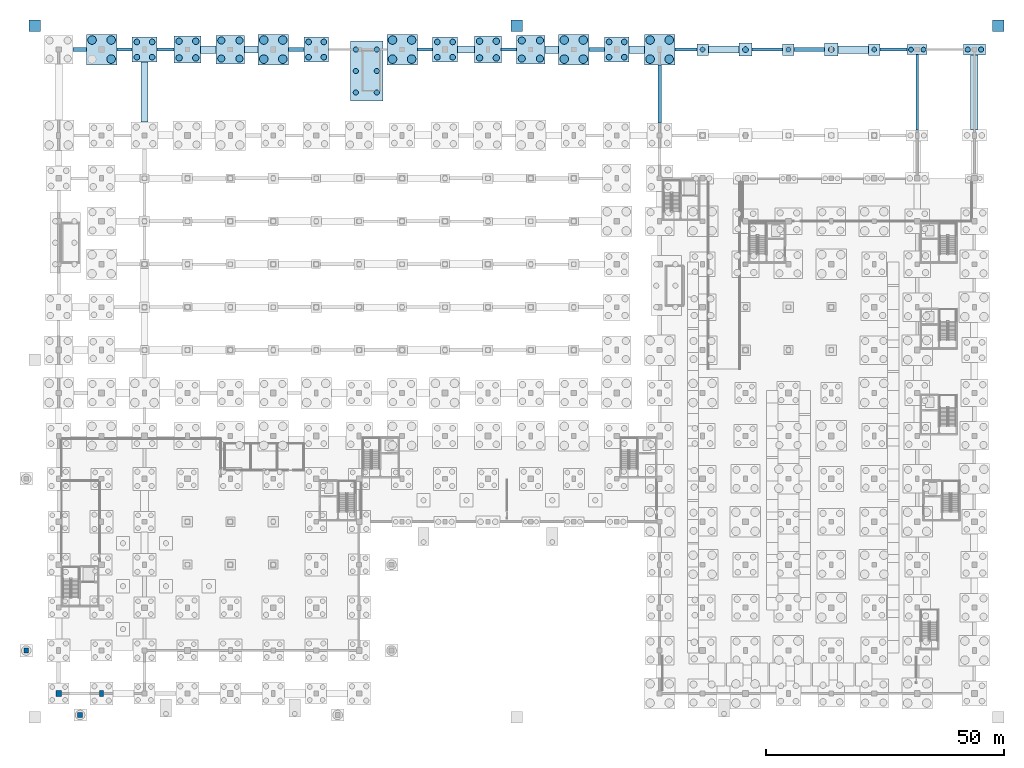
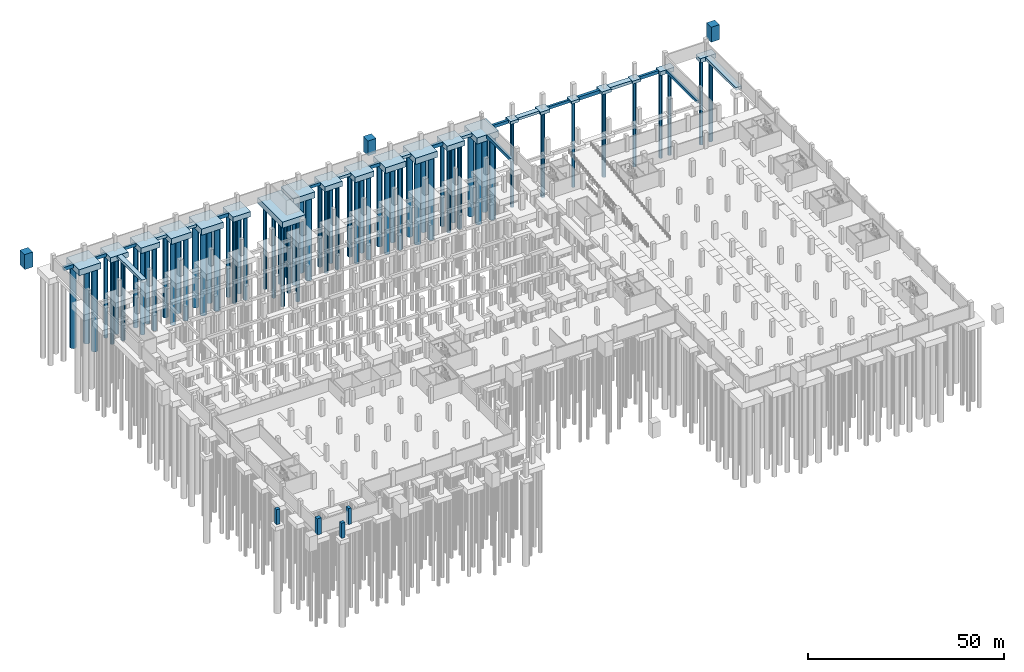
# One storey, part 11 of 37: 66 piles, 46 footings, 4 columns.
"""IFC4 building model written with IfcOpenShell, lengths in metres."""

from ifc_helpers import new_model, si_unit, direction, frame, origin, origin_with_axes, origin_2d, place, context, subcontext, project, spatial, rectangle, circle, extrude, material, material_profile, profile_set, type_object, element, save


model = new_model("IFC4")

# Units and contexts
model_context = context("Model", 3, precision=1e-05, world=origin(), true_north=direction((0.0, 1.0)))
body_context = subcontext(model_context, "Body", "Model", "MODEL_VIEW")
ifc_project = project(units=[si_unit("LENGTHUNIT", "METRE"), si_unit("AREAUNIT", "SQUARE_METRE"), si_unit("VOLUMEUNIT", "CUBIC_METRE"), si_unit("PLANEANGLEUNIT", "RADIAN"), si_unit("MASSUNIT", "GRAM", prefix="KILO")], contexts=[model_context])

# Site, building, storey
site_placement = place(None, origin())
site = spatial("IfcSite", under=ifc_project, at=site_placement, CompositionType="ELEMENT")
building_placement = place(site_placement, origin())
building = spatial("IfcBuilding", under=site, at=building_placement, Name="Barlavento Convention Centre", CompositionType="ELEMENT")
storey_placement = place(building_placement, frame((0.0, 0.0, -5.0)))
storey = spatial("IfcBuildingStorey", under=building, at=storey_placement, Name="B1", CompositionType="ELEMENT", Elevation=-5.0)

# Footings
ifc_material_1 = material(Name="Concrete C40/50", Category="concrete")
footing_type_1 = type_object("IfcFootingType", Name="STR-FND-CORE-COMB", PredefinedType="PILE_CAP", material=ifc_material_1)
footing_1_placement = place(storey_placement, frame((64.60009765625, 130.5, -1.85009765625), z_axis=(0.0, 0.0, 1.0), x_axis=(1.0, 0.0, 0.0)))
element("IfcFooting", 1, at=footing_1_placement, inside=storey, type_object=footing_type_1, Name="Combined core and column foundation mat FND-CORE-C13", PredefinedType="PILE_CAP", context=body_context, shape_type="SweptSolid", body=[
    extrude(rectangle(XDim=6.800048828125, YDim=12.60009765625, at=origin_2d()), origin(), (0.0, 0.0, 1.0), 1.85009765625),
])
footing_type_2 = type_object("IfcFootingType", Name="STR-FND-GB-600X900", PredefinedType="FOOTING_BEAM", material=ifc_material_1)
footing_2_placement = place(storey_placement, frame((22.39990234375, 135.0, -0.89990234375), z_axis=(0.0, 0.0, 1.0), x_axis=(1.0, 0.0, 0.0)))
element("IfcFooting", 2, at=footing_2_placement, inside=storey, type_object=footing_type_2, Name="Ground tie footing GB01", PredefinedType="FOOTING_BEAM", context=body_context, shape_type="SweptSolid", body=[
    extrude(rectangle(XDim=3.610107421875, YDim=0.60009765625, at=origin_2d()), origin(), (0.0, 0.0, 1.0), 0.89990234375),
])
footing_3_placement = place(storey_placement, frame((76.800048828125, 135.0, -0.89990234375), z_axis=(0.0, 0.0, 1.0), x_axis=(1.0, 0.0, 0.0)))
element("IfcFooting", 3, at=footing_3_placement, inside=storey, type_object=footing_type_2, Name="Ground tie footing GB01", PredefinedType="FOOTING_BEAM", context=body_context, shape_type="SweptSolid", body=[
    extrude(rectangle(XDim=3.2099609375, YDim=0.60009765625, at=origin_2d()), origin(), (0.0, 0.0, 1.0), 0.89990234375),
])
footing_4_placement = place(storey_placement, frame((148.60009765625, 135.0, -0.89990234375), z_axis=(0.0, 0.0, 1.0), x_axis=(1.0, 0.0, 0.0)))
element("IfcFooting", 4, at=footing_4_placement, inside=storey, type_object=footing_type_2, Name="Ground tie footing GB01", PredefinedType="FOOTING_BEAM", context=body_context, shape_type="SweptSolid", body=[
    extrude(rectangle(XDim=6.409912109375, YDim=0.60009765625, at=origin_2d()), origin(), (0.0, 0.0, 1.0), 0.89990234375),
])
footing_5_placement = place(storey_placement, frame((180.0, 126.050048828125, -0.89990234375), z_axis=(0.0, 0.0, 1.0), x_axis=(1.0, 0.0, 0.0)))
element("IfcFooting", 5, at=footing_5_placement, inside=storey, type_object=footing_type_2, Name="Ground tie footing GB01", PredefinedType="FOOTING_BEAM", context=body_context, shape_type="SweptSolid", body=[
    extrude(rectangle(XDim=0.60009765625, YDim=15.81005859375, at=origin_2d()), origin(), (0.0, 0.0, 1.0), 0.89990234375),
])
footing_type_3 = type_object("IfcFootingType", Name="STR-FND-GB-700X1000", PredefinedType="FOOTING_BEAM", material=ifc_material_1)
for number, where, z_axis, x_axis, name in (
    (6, (13.800048828125, 135.0, -1.0), (0.0, 0.0, 1.0), (1.0, 0.0, 0.0), "Ground tie footing GB02"),
    (7, (94.39990234375, 135.0, -1.0), (0.0, 0.0, 1.0), (1.0, 0.0, 0.0), "Ground tie footing GB02"),
):
    element("IfcFooting", number, at=place(storey_placement, frame(where, z_axis=z_axis, x_axis=x_axis)), inside=storey, type_object=footing_type_3, Name=name, PredefinedType="FOOTING_BEAM", context=body_context, shape_type="SweptSolid", body=[
        extrude(rectangle(XDim=3.2099609375, YDim=0.699951171875, at=origin_2d()), origin(), (0.0, 0.0, 1.0), 1.0),
    ])
footing_6_placement = place(storey_placement, frame((131.5, 135.0, -1.0), z_axis=(0.0, 0.0, 1.0), x_axis=(1.0, 0.0, 0.0)))
element("IfcFooting", 8, at=footing_6_placement, inside=storey, type_object=footing_type_3, Name="Ground tie footing GB02", PredefinedType="FOOTING_BEAM", context=body_context, shape_type="SweptSolid", body=[
    extrude(rectangle(XDim=4.610107421875, YDim=0.699951171875, at=origin_2d()), origin(), (0.0, 0.0, 1.0), 1.0),
])
footing_7_placement = place(storey_placement, frame((175.050048828125, 135.0, -1.0), z_axis=(0.0, 0.0, 1.0), x_axis=(1.0, 0.0, 0.0)))
element("IfcFooting", 9, at=footing_7_placement, inside=storey, type_object=footing_type_3, Name="Ground tie footing GB02", PredefinedType="FOOTING_BEAM", context=body_context, shape_type="SweptSolid", body=[
    extrude(rectangle(XDim=5.7099609375, YDim=0.699951171875, at=origin_2d()), origin(), (0.0, 0.0, 1.0), 1.0),
])
footing_8_placement = place(storey_placement, frame((126.0, 125.699951171875, -1.0), z_axis=(0.0, 0.0, 1.0), x_axis=(1.0, 0.0, 0.0)))
element("IfcFooting", 10, at=footing_8_placement, inside=storey, type_object=footing_type_3, Name="Ground tie footing GB02", PredefinedType="FOOTING_BEAM", context=body_context, shape_type="SweptSolid", body=[
    extrude(rectangle(XDim=0.699951171875, YDim=12.2099609375, at=origin_2d()), origin(), (0.0, 0.0, 1.0), 1.0),
])
footing_type_4 = type_object("IfcFootingType", Name="STR-FND-GB-800X1100", PredefinedType="FOOTING_BEAM", material=ifc_material_1)
footing_9_placement = place(storey_placement, frame((4.39990234375, 135.0, -1.10009765625), z_axis=(0.0, 0.0, 1.0), x_axis=(1.0, 0.0, 0.0)))
element("IfcFooting", 11, at=footing_9_placement, inside=storey, type_object=footing_type_4, Name="Ground tie footing GB03", PredefinedType="FOOTING_BEAM", context=body_context, shape_type="SweptSolid", body=[
    extrude(rectangle(XDim=2.81005859375, YDim=0.800048828125, at=origin_2d()), origin(), (0.0, 0.0, 1.0), 1.10009765625),
])
for number, where, z_axis, x_axis, name in (
    (12, (49.800048828125, 135.0, -1.10009765625), (0.0, 0.0, 1.0), (1.0, 0.0, 0.0), "Ground tie footing GB03"),
    (13, (112.800048828125, 135.0, -1.10009765625), (0.0, 0.0, 1.0), (1.0, 0.0, 0.0), "Ground tie footing GB03"),
):
    element("IfcFooting", number, at=place(storey_placement, frame(where, z_axis=z_axis, x_axis=x_axis)), inside=storey, type_object=footing_type_4, Name=name, PredefinedType="FOOTING_BEAM", context=body_context, shape_type="SweptSolid", body=[
        extrude(rectangle(XDim=3.2099609375, YDim=0.800048828125, at=origin_2d()), origin(), (0.0, 0.0, 1.0), 1.10009765625),
    ])
footing_10_placement = place(storey_placement, frame((157.39990234375, 135.0, -1.10009765625), z_axis=(0.0, 0.0, 1.0), x_axis=(1.0, 0.0, 0.0)))
element("IfcFooting", 14, at=footing_10_placement, inside=storey, type_object=footing_type_4, Name="Ground tie footing GB03", PredefinedType="FOOTING_BEAM", context=body_context, shape_type="SweptSolid", body=[
    extrude(rectangle(XDim=6.409912109375, YDim=0.800048828125, at=origin_2d()), origin(), (0.0, 0.0, 1.0), 1.10009765625),
])
footing_type_5 = type_object("IfcFootingType", Name="STR-FND-PAD-2400", PredefinedType="PAD_FOOTING", material=ifc_material_1)
for number, where, z_axis, x_axis, name in (
    (15, (135.0, 135.0, -0.89990234375), (0.0, 0.0, 1.0), (1.0, 0.0, 0.0), "Pile cap PF01 at 16-Q"),
    (16, (153.0, 135.0, -0.89990234375), (0.0, 0.0, 1.0), (1.0, 0.0, 0.0), "Pile cap PF01 at 18-Q"),
    (17, (171.0, 135.0, -0.89990234375), (0.0, 0.0, 1.0), (1.0, 0.0, 0.0), "Pile cap PF01 at 20-Q"),
):
    element("IfcFooting", number, at=place(storey_placement, frame(where, z_axis=z_axis, x_axis=x_axis)), inside=storey, type_object=footing_type_5, Name=name, PredefinedType="PAD_FOOTING", context=body_context, shape_type="SweptSolid", body=[
        extrude(rectangle(XDim=2.39990234375, YDim=2.39990234375, at=origin_2d()), origin(), (0.0, 0.0, 1.0), 0.89990234375),
    ])
footing_type_6 = type_object("IfcFootingType", Name="STR-FND-PAD-2800", PredefinedType="PAD_FOOTING", material=ifc_material_1)
for number, where, z_axis, x_axis, name in (
    (18, (144.0, 135.0, -0.9501953125), (0.0, 0.0, 1.0), (1.0, 0.0, 0.0), "Pile cap PF02 at 17-Q"),
    (19, (162.0, 135.0, -0.9501953125), (0.0, 0.0, 1.0), (1.0, 0.0, 0.0), "Pile cap PF02 at 19-Q"),
):
    element("IfcFooting", number, at=place(storey_placement, frame(where, z_axis=z_axis, x_axis=x_axis)), inside=storey, type_object=footing_type_6, Name=name, PredefinedType="PAD_FOOTING", context=body_context, shape_type="SweptSolid", body=[
        extrude(rectangle(XDim=2.800048828125, YDim=2.800048828125, at=origin_2d()), origin(), (0.0, 0.0, 1.0), 0.949951171875),
    ])
footing_type_7 = type_object("IfcFootingType", Name="STR-FND-PAD-APR-2400", PredefinedType="PAD_FOOTING", material=ifc_material_1)
for number, where, z_axis, x_axis, name in (
    (20, (-5.0, 140.0, 0.0), (0.0, 0.0, 1.0), (1.0, 0.0, 0.0), "Perimeter plaza apron foundation pad FND-PAD-APR-05"),
    (21, (96.0, 140.0, 0.0), (0.0, 0.0, 1.0), (1.0, 0.0, 0.0), "Perimeter plaza apron foundation pad FND-PAD-APR-06"),
    (22, (197.0, 140.0, 0.0), (0.0, 0.0, 1.0), (1.0, 0.0, 0.0), "Perimeter plaza apron foundation pad FND-PAD-APR-07"),
):
    element("IfcFooting", number, at=place(storey_placement, frame(where, z_axis=z_axis, x_axis=x_axis)), inside=storey, type_object=footing_type_7, Name=name, PredefinedType="PAD_FOOTING", context=body_context, shape_type="SweptSolid", body=[
        extrude(rectangle(XDim=2.39990234375, YDim=2.39990234375, at=origin_2d()), origin(), (0.0, 0.0, 1.0), 4.639892578125),
    ])
footing_type_8 = type_object("IfcFootingType", Name="STR-FND-PC2-4200X2100", PredefinedType="PILE_CAP", material=ifc_material_1)
footing_11_placement = place(storey_placement, frame((180.0, 135.0, -1.25), z_axis=(0.0, 0.0, 1.0), x_axis=(1.0, 0.0, 0.0)))
element("IfcFooting", 23, at=footing_11_placement, inside=storey, type_object=footing_type_8, Name="Pile cap PC04 at 21-Q", PredefinedType="PILE_CAP", context=body_context, shape_type="SweptSolid", body=[
    extrude(rectangle(XDim=4.199951171875, YDim=2.10009765625, at=origin_2d()), origin(), (0.0, 0.0, 1.0), 1.25),
])
footing_type_9 = type_object("IfcFootingType", Name="STR-FND-PC2-4600X2300", PredefinedType="PILE_CAP", material=ifc_material_1)
footing_12_placement = place(storey_placement, frame((192.0, 135.0, -1.35009765625), z_axis=(0.0, 0.0, 1.0), x_axis=(1.0, 0.0, 0.0)))
element("IfcFooting", 24, at=footing_12_placement, inside=storey, type_object=footing_type_9, Name="Pile cap PC05 at 22-Q", PredefinedType="PILE_CAP", context=body_context, shape_type="SweptSolid", body=[
    extrude(rectangle(XDim=4.60009765625, YDim=2.300048828125, at=origin_2d()), origin(), (0.0, 0.0, 1.0), 1.35009765625),
])
footing_type_10 = type_object("IfcFootingType", Name="STR-FND-PC4-5200", PredefinedType="PILE_CAP", material=ifc_material_1)
for number, where, z_axis, x_axis, name in (
    (25, (18.0, 135.0, -1.60009765625), (0.0, 0.0, 1.0), (1.0, 0.0, 0.0), "Pile cap PC09 at 3-Q"),
    (26, (54.0, 135.0, -1.60009765625), (0.0, 0.0, 1.0), (1.0, 0.0, 0.0), "Pile cap PC09 at 7-Q"),
    (27, (81.0, 135.0, -1.60009765625), (0.0, 0.0, 1.0), (1.0, 0.0, 0.0), "Pile cap PC09 at 10-Q"),
    (28, (117.0, 135.0, -1.60009765625), (0.0, 0.0, 1.0), (1.0, 0.0, 0.0), "Pile cap PC09 at 14-Q"),
):
    element("IfcFooting", number, at=place(storey_placement, frame(where, z_axis=z_axis, x_axis=x_axis)), inside=storey, type_object=footing_type_10, Name=name, PredefinedType="PILE_CAP", context=body_context, shape_type="SweptSolid", body=[
        extrude(rectangle(XDim=5.199951171875, YDim=5.199951171875, at=origin_2d()), origin(), (0.0, 0.0, 1.0), 1.60009765625),
    ])
footing_type_11 = type_object("IfcFootingType", Name="STR-FND-PC4-5600", PredefinedType="PILE_CAP", material=ifc_material_1)
for number, where, z_axis, x_axis, name in (
    (29, (27.0, 135.0, -1.7001953125), (0.0, 0.0, 1.0), (1.0, 0.0, 0.0), "Pile cap PC10 at 4-Q"),
    (30, (90.0, 135.0, -1.7001953125), (0.0, 0.0, 1.0), (1.0, 0.0, 0.0), "Pile cap PC10 at 11-Q"),
):
    element("IfcFooting", number, at=place(storey_placement, frame(where, z_axis=z_axis, x_axis=x_axis)), inside=storey, type_object=footing_type_11, Name=name, PredefinedType="PILE_CAP", context=body_context, shape_type="SweptSolid", body=[
        extrude(rectangle(XDim=5.60009765625, YDim=5.60009765625, at=origin_2d()), origin(), (0.0, 0.0, 1.0), 1.699951171875),
    ])
footing_type_12 = type_object("IfcFootingType", Name="STR-FND-PC4-6000", PredefinedType="PILE_CAP", material=ifc_material_1)
for number, where, z_axis, x_axis, name in (
    (31, (36.0, 135.0, -1.7998046875), (0.0, 0.0, 1.0), (1.0, 0.0, 0.0), "Pile cap PC11 at 5-Q"),
    (32, (99.0, 135.0, -1.7998046875), (0.0, 0.0, 1.0), (1.0, 0.0, 0.0), "Pile cap PC11 at 12-Q"),
):
    element("IfcFooting", number, at=place(storey_placement, frame(where, z_axis=z_axis, x_axis=x_axis)), inside=storey, type_object=footing_type_12, Name=name, PredefinedType="PILE_CAP", context=body_context, shape_type="SweptSolid", body=[
        extrude(rectangle(XDim=6.0, YDim=6.0, at=origin_2d()), origin(), (0.0, 0.0, 1.0), 1.800048828125),
    ])
footing_type_13 = type_object("IfcFootingType", Name="STR-FND-PC4-6400", PredefinedType="PILE_CAP", material=ifc_material_1)
for number, where, z_axis, x_axis, name in (
    (33, (9.0, 135.0, -1.89990234375), (0.0, 0.0, 1.0), (1.0, 0.0, 0.0), "Pile cap PC12 at 2-Q"),
    (34, (45.0, 135.0, -1.89990234375), (0.0, 0.0, 1.0), (1.0, 0.0, 0.0), "Pile cap PC12 at 6-Q"),
    (35, (72.0, 135.0, -1.89990234375), (0.0, 0.0, 1.0), (1.0, 0.0, 0.0), "Pile cap PC12 at 9-Q"),
    (36, (108.0, 135.0, -1.89990234375), (0.0, 0.0, 1.0), (1.0, 0.0, 0.0), "Pile cap PC12 at 13-Q"),
    (37, (126.0, 135.0, -1.89990234375), (0.0, 0.0, 1.0), (1.0, 0.0, 0.0), "Pile cap PC12 at 15-Q"),
):
    element("IfcFooting", number, at=place(storey_placement, frame(where, z_axis=z_axis, x_axis=x_axis)), inside=storey, type_object=footing_type_13, Name=name, PredefinedType="PILE_CAP", context=body_context, shape_type="SweptSolid", body=[
        extrude(rectangle(XDim=6.39990234375, YDim=6.39990234375, at=origin_2d()), origin(), (0.0, 0.0, 1.0), 1.89990234375),
    ])
footing_type_14 = type_object("IfcFootingType", Name="STR-FND-SF-1400X800", PredefinedType="STRIP_FOOTING", material=ifc_material_1)
footing_13_placement = place(storey_placement, frame((40.39990234375, 135.0, -0.7998046875), z_axis=(0.0, 0.0, 1.0), x_axis=(1.0, 0.0, 0.0)))
element("IfcFooting", 38, at=footing_13_placement, inside=storey, type_object=footing_type_14, Name="Ground tie footing SF01", PredefinedType="STRIP_FOOTING", context=body_context, shape_type="SweptSolid", body=[
    extrude(rectangle(XDim=2.81005859375, YDim=1.39990234375, at=origin_2d()), origin(), (0.0, 0.0, 1.0), 0.800048828125),
])
footing_14_placement = place(storey_placement, frame((85.39990234375, 135.0, -0.7998046875), z_axis=(0.0, 0.0, 1.0), x_axis=(1.0, 0.0, 0.0)))
element("IfcFooting", 39, at=footing_14_placement, inside=storey, type_object=footing_type_14, Name="Ground tie footing SF01", PredefinedType="STRIP_FOOTING", context=body_context, shape_type="SweptSolid", body=[
    extrude(rectangle(XDim=3.610107421875, YDim=1.39990234375, at=origin_2d()), origin(), (0.0, 0.0, 1.0), 0.800048828125),
])
footing_15_placement = place(storey_placement, frame((139.39990234375, 135.0, -0.7998046875), z_axis=(0.0, 0.0, 1.0), x_axis=(1.0, 0.0, 0.0)))
element("IfcFooting", 40, at=footing_15_placement, inside=storey, type_object=footing_type_14, Name="Ground tie footing SF01", PredefinedType="STRIP_FOOTING", context=body_context, shape_type="SweptSolid", body=[
    extrude(rectangle(XDim=6.409912109375, YDim=1.39990234375, at=origin_2d()), origin(), (0.0, 0.0, 1.0), 0.800048828125),
])
footing_16_placement = place(storey_placement, frame((18.0, 126.10009765625, -0.7998046875), z_axis=(0.0, 0.0, 1.0), x_axis=(1.0, 0.0, 0.0)))
element("IfcFooting", 41, at=footing_16_placement, inside=storey, type_object=footing_type_14, Name="Ground tie footing SF01", PredefinedType="STRIP_FOOTING", context=body_context, shape_type="SweptSolid", body=[
    extrude(rectangle(XDim=1.39990234375, YDim=12.610107421875, at=origin_2d()), origin(), (0.0, 0.0, 1.0), 0.800048828125),
])
footing_type_15 = type_object("IfcFootingType", Name="STR-FND-SF-1600X900", PredefinedType="STRIP_FOOTING", material=ifc_material_1)
footing_17_placement = place(storey_placement, frame((31.39990234375, 135.0, -0.89990234375), z_axis=(0.0, 0.0, 1.0), x_axis=(1.0, 0.0, 0.0)))
element("IfcFooting", 42, at=footing_17_placement, inside=storey, type_object=footing_type_15, Name="Ground tie footing SF02", PredefinedType="STRIP_FOOTING", context=body_context, shape_type="SweptSolid", body=[
    extrude(rectangle(XDim=3.2099609375, YDim=1.60009765625, at=origin_2d()), origin(), (0.0, 0.0, 1.0), 0.89990234375),
])
footing_18_placement = place(storey_placement, frame((103.39990234375, 135.0, -0.89990234375), z_axis=(0.0, 0.0, 1.0), x_axis=(1.0, 0.0, 0.0)))
element("IfcFooting", 43, at=footing_18_placement, inside=storey, type_object=footing_type_15, Name="Ground tie footing SF02", PredefinedType="STRIP_FOOTING", context=body_context, shape_type="SweptSolid", body=[
    extrude(rectangle(XDim=2.81005859375, YDim=1.60009765625, at=origin_2d()), origin(), (0.0, 0.0, 1.0), 0.89990234375),
])
footing_19_placement = place(storey_placement, frame((121.199951171875, 135.0, -0.89990234375), z_axis=(0.0, 0.0, 1.0), x_axis=(1.0, 0.0, 0.0)))
element("IfcFooting", 44, at=footing_19_placement, inside=storey, type_object=footing_type_15, Name="Ground tie footing SF02", PredefinedType="STRIP_FOOTING", context=body_context, shape_type="SweptSolid", body=[
    extrude(rectangle(XDim=3.2099609375, YDim=1.60009765625, at=origin_2d()), origin(), (0.0, 0.0, 1.0), 0.89990234375),
])
footing_20_placement = place(storey_placement, frame((166.60009765625, 135.0, -0.89990234375), z_axis=(0.0, 0.0, 1.0), x_axis=(1.0, 0.0, 0.0)))
element("IfcFooting", 45, at=footing_20_placement, inside=storey, type_object=footing_type_15, Name="Ground tie footing SF02", PredefinedType="STRIP_FOOTING", context=body_context, shape_type="SweptSolid", body=[
    extrude(rectangle(XDim=6.409912109375, YDim=1.60009765625, at=origin_2d()), origin(), (0.0, 0.0, 1.0), 0.89990234375),
])
footing_21_placement = place(storey_placement, frame((192.0, 126.02490234375, -0.89990234375), z_axis=(0.0, 0.0, 1.0), x_axis=(1.0, 0.0, 0.0)))
element("IfcFooting", 46, at=footing_21_placement, inside=storey, type_object=footing_type_15, Name="Ground tie footing SF02", PredefinedType="STRIP_FOOTING", context=body_context, shape_type="SweptSolid", body=[
    extrude(rectangle(XDim=1.60009765625, YDim=15.659912109375, at=origin_2d()), origin(), (0.0, 0.0, 1.0), 0.89990234375),
])

# Piles
ifc_material_profile_1 = material_profile(ifc_material_1, circle(Radius=0.5, at=origin_2d()), Name="BORED PILE 1000")
ifc_profile_set_1 = profile_set([ifc_material_profile_1], Name="Concrete C40/50")
pile_type_1 = type_object("IfcPileType", Name="STR-PIL-B1000", PredefinedType="BORED", material=ifc_profile_set_1)
for number, where, z_axis, x_axis, name in (
    (47, (178.699951171875, 135.0, -1.14990234375), (0.0, 0.0, -1.0), (1.0, 0.0, 0.0), "Bored pile P10 under FND-CAP-0286"),
    (48, (181.300048828125, 135.0, -1.14990234375), (0.0, 0.0, -1.0), (1.0, 0.0, 0.0), "Bored pile P10 under FND-CAP-0286"),
):
    element("IfcPile", number, at=place(storey_placement, frame(where, z_axis=z_axis, x_axis=x_axis)), inside=storey, type_object=pile_type_1, Name=name, PredefinedType="BORED", context=body_context, shape_type="SweptSolid", body=[
        extrude(circle(Radius=0.5, at=origin_2d()), origin(), (0.0, 0.0, 1.0), 26.35009765625),
    ])
ifc_material_profile_2 = material_profile(ifc_material_1, circle(Radius=0.550048828125, at=origin_2d()), Name="BORED PILE 1100")
ifc_profile_set_2 = profile_set([ifc_material_profile_2], Name="Concrete C40/50")
pile_type_2 = type_object("IfcPileType", Name="STR-PIL-B1100", PredefinedType="BORED", material=ifc_profile_set_2)
for number, where, z_axis, x_axis, name in (
    (49, (190.60009765625, 135.0, -1.25), (0.0, 0.0, -1.0), (1.0, 0.0, 0.0), "Bored pile P11 under FND-CAP-0301"),
    (50, (193.39990234375, 135.0, -1.25), (0.0, 0.0, -1.0), (1.0, 0.0, 0.0), "Bored pile P11 under FND-CAP-0301"),
):
    element("IfcPile", number, at=place(storey_placement, frame(where, z_axis=z_axis, x_axis=x_axis)), inside=storey, type_object=pile_type_2, Name=name, PredefinedType="BORED", context=body_context, shape_type="SweptSolid", body=[
        extrude(circle(Radius=0.550048828125, at=origin_2d()), origin(), (0.0, 0.0, 1.0), 26.25),
    ])
for number, where, z_axis, x_axis, name in (
    (51, (62.300048828125, 126.0, -1.75), (0.0, 0.0, -1.0), (1.0, 0.0, 0.0), "Core foundation bored pile PIL-P11-62300-126000"),
    (52, (66.699951171875, 126.0, -1.75), (0.0, 0.0, -1.0), (1.0, 0.0, 0.0), "Core foundation bored pile PIL-P11-66700-126000"),
    (53, (62.300048828125, 130.5, -1.75), (0.0, 0.0, -1.0), (1.0, 0.0, 0.0), "Core foundation bored pile PIL-P11-62300-130500"),
    (54, (66.699951171875, 130.5, -1.75), (0.0, 0.0, -1.0), (1.0, 0.0, 0.0), "Core foundation bored pile PIL-P11-66700-130500"),
    (55, (62.300048828125, 135.0, -1.75), (0.0, 0.0, -1.0), (1.0, 0.0, 0.0), "Core foundation bored pile PIL-P11-62300-135000"),
    (56, (66.699951171875, 135.0, -1.75), (0.0, 0.0, -1.0), (1.0, 0.0, 0.0), "Core foundation bored pile PIL-P11-66700-135000"),
):
    element("IfcPile", number, at=place(storey_placement, frame(where, z_axis=z_axis, x_axis=x_axis)), inside=storey, type_object=pile_type_2, Name=name, PredefinedType="BORED", context=body_context, shape_type="SweptSolid", body=[
        extrude(circle(Radius=0.550048828125, at=origin_2d()), origin(), (0.0, 0.0, 1.0), 25.75),
    ])
ifc_material_profile_3 = material_profile(ifc_material_1, circle(Radius=0.60009765625, at=origin_2d()), Name="BORED PILE 1200")
ifc_profile_set_3 = profile_set([ifc_material_profile_3], Name="Concrete C40/50")
pile_type_3 = type_object("IfcPileType", Name="STR-PIL-B1200", PredefinedType="BORED", material=ifc_profile_set_3)
for number, where, z_axis, x_axis, name in (
    (57, (16.39990234375, 133.39990234375, -1.5), (0.0, 0.0, -1.0), (1.0, 0.0, 0.0), "Bored pile P12 under FND-CAP-0043"),
    (58, (19.60009765625, 133.39990234375, -1.5), (0.0, 0.0, -1.0), (1.0, 0.0, 0.0), "Bored pile P12 under FND-CAP-0043"),
    (59, (16.39990234375, 136.60009765625, -1.5), (0.0, 0.0, -1.0), (1.0, 0.0, 0.0), "Bored pile P12 under FND-CAP-0043"),
    (60, (19.60009765625, 136.60009765625, -1.5), (0.0, 0.0, -1.0), (1.0, 0.0, 0.0), "Bored pile P12 under FND-CAP-0043"),
    (61, (52.39990234375, 133.39990234375, -1.5), (0.0, 0.0, -1.0), (1.0, 0.0, 0.0), "Bored pile P12 under FND-CAP-0103"),
    (62, (55.60009765625, 133.39990234375, -1.5), (0.0, 0.0, -1.0), (1.0, 0.0, 0.0), "Bored pile P12 under FND-CAP-0103"),
    (63, (52.39990234375, 136.60009765625, -1.5), (0.0, 0.0, -1.0), (1.0, 0.0, 0.0), "Bored pile P12 under FND-CAP-0103"),
    (64, (55.60009765625, 136.60009765625, -1.5), (0.0, 0.0, -1.0), (1.0, 0.0, 0.0), "Bored pile P12 under FND-CAP-0103"),
    (65, (79.39990234375, 133.39990234375, -1.5), (0.0, 0.0, -1.0), (1.0, 0.0, 0.0), "Bored pile P12 under FND-CAP-0139"),
    (66, (82.60009765625, 133.39990234375, -1.5), (0.0, 0.0, -1.0), (1.0, 0.0, 0.0), "Bored pile P12 under FND-CAP-0139"),
    (67, (79.39990234375, 136.60009765625, -1.5), (0.0, 0.0, -1.0), (1.0, 0.0, 0.0), "Bored pile P12 under FND-CAP-0139"),
    (68, (82.60009765625, 136.60009765625, -1.5), (0.0, 0.0, -1.0), (1.0, 0.0, 0.0), "Bored pile P12 under FND-CAP-0139"),
    (69, (115.39990234375, 133.39990234375, -1.5), (0.0, 0.0, -1.0), (1.0, 0.0, 0.0), "Bored pile P12 under FND-CAP-0183"),
    (70, (118.60009765625, 133.39990234375, -1.5), (0.0, 0.0, -1.0), (1.0, 0.0, 0.0), "Bored pile P12 under FND-CAP-0183"),
    (71, (115.39990234375, 136.60009765625, -1.5), (0.0, 0.0, -1.0), (1.0, 0.0, 0.0), "Bored pile P12 under FND-CAP-0183"),
    (72, (118.60009765625, 136.60009765625, -1.5), (0.0, 0.0, -1.0), (1.0, 0.0, 0.0), "Bored pile P12 under FND-CAP-0183"),
):
    element("IfcPile", number, at=place(storey_placement, frame(where, z_axis=z_axis, x_axis=x_axis)), inside=storey, type_object=pile_type_3, Name=name, PredefinedType="BORED", context=body_context, shape_type="SweptSolid", body=[
        extrude(circle(Radius=0.60009765625, at=origin_2d()), origin(), (0.0, 0.0, 1.0), 26.0),
    ])
for number, where, z_axis, x_axis, name in (
    (73, (144.0, 135.0, -0.85009765625), (0.0, 0.0, -1.0), (1.0, 0.0, 0.0), "Bored pile P12 under FND-CAP-0226"),
    (74, (162.0, 135.0, -0.85009765625), (0.0, 0.0, -1.0), (1.0, 0.0, 0.0), "Bored pile P12 under FND-CAP-0256"),
):
    element("IfcPile", number, at=place(storey_placement, frame(where, z_axis=z_axis, x_axis=x_axis)), inside=storey, type_object=pile_type_3, Name=name, PredefinedType="BORED", context=body_context, shape_type="SweptSolid", body=[
        extrude(circle(Radius=0.60009765625, at=origin_2d()), origin(), (0.0, 0.0, 1.0), 26.64990234375),
    ])
ifc_material_profile_4 = material_profile(ifc_material_1, circle(Radius=0.675048828125, at=origin_2d()), Name="BORED PILE 1350")
ifc_profile_set_4 = profile_set([ifc_material_profile_4], Name="Concrete C40/50")
pile_type_4 = type_object("IfcPileType", Name="STR-PIL-B1350", PredefinedType="BORED", material=ifc_profile_set_4)
for number, where, z_axis, x_axis, name in (
    (75, (25.25, 133.25, -1.60009765625), (0.0, 0.0, -1.0), (1.0, 0.0, 0.0), "Bored pile P13 under FND-CAP-0058"),
    (76, (28.75, 133.25, -1.60009765625), (0.0, 0.0, -1.0), (1.0, 0.0, 0.0), "Bored pile P13 under FND-CAP-0058"),
    (77, (25.25, 136.75, -1.60009765625), (0.0, 0.0, -1.0), (1.0, 0.0, 0.0), "Bored pile P13 under FND-CAP-0058"),
    (78, (28.75, 136.75, -1.60009765625), (0.0, 0.0, -1.0), (1.0, 0.0, 0.0), "Bored pile P13 under FND-CAP-0058"),
    (79, (88.25, 133.25, -1.60009765625), (0.0, 0.0, -1.0), (1.0, 0.0, 0.0), "Bored pile P13 under FND-CAP-0150"),
    (80, (91.75, 133.25, -1.60009765625), (0.0, 0.0, -1.0), (1.0, 0.0, 0.0), "Bored pile P13 under FND-CAP-0150"),
    (81, (88.25, 136.75, -1.60009765625), (0.0, 0.0, -1.0), (1.0, 0.0, 0.0), "Bored pile P13 under FND-CAP-0150"),
    (82, (91.75, 136.75, -1.60009765625), (0.0, 0.0, -1.0), (1.0, 0.0, 0.0), "Bored pile P13 under FND-CAP-0150"),
):
    element("IfcPile", number, at=place(storey_placement, frame(where, z_axis=z_axis, x_axis=x_axis)), inside=storey, type_object=pile_type_4, Name=name, PredefinedType="BORED", context=body_context, shape_type="SweptSolid", body=[
        extrude(circle(Radius=0.675048828125, at=origin_2d()), origin(), (0.0, 0.0, 1.0), 25.89990234375),
    ])
ifc_material_profile_5 = material_profile(ifc_material_1, circle(Radius=0.75, at=origin_2d()), Name="BORED PILE 1500")
ifc_profile_set_5 = profile_set([ifc_material_profile_5], Name="Concrete C40/50")
pile_type_5 = type_object("IfcPileType", Name="STR-PIL-B1500", PredefinedType="BORED", material=ifc_profile_set_5)
for number, where, z_axis, x_axis, name in (
    (83, (34.10009765625, 133.10009765625, -1.699951171875), (0.0, 0.0, -1.0), (1.0, 0.0, 0.0), "Bored pile P15 under FND-CAP-0073"),
    (84, (37.89990234375, 133.10009765625, -1.699951171875), (0.0, 0.0, -1.0), (1.0, 0.0, 0.0), "Bored pile P15 under FND-CAP-0073"),
    (85, (34.10009765625, 136.89990234375, -1.699951171875), (0.0, 0.0, -1.0), (1.0, 0.0, 0.0), "Bored pile P15 under FND-CAP-0073"),
    (86, (37.89990234375, 136.89990234375, -1.699951171875), (0.0, 0.0, -1.0), (1.0, 0.0, 0.0), "Bored pile P15 under FND-CAP-0073"),
    (87, (97.10009765625, 133.10009765625, -1.699951171875), (0.0, 0.0, -1.0), (1.0, 0.0, 0.0), "Bored pile P15 under FND-CAP-0161"),
    (88, (100.89990234375, 133.10009765625, -1.699951171875), (0.0, 0.0, -1.0), (1.0, 0.0, 0.0), "Bored pile P15 under FND-CAP-0161"),
    (89, (97.10009765625, 136.89990234375, -1.699951171875), (0.0, 0.0, -1.0), (1.0, 0.0, 0.0), "Bored pile P15 under FND-CAP-0161"),
    (90, (100.89990234375, 136.89990234375, -1.699951171875), (0.0, 0.0, -1.0), (1.0, 0.0, 0.0), "Bored pile P15 under FND-CAP-0161"),
):
    element("IfcPile", number, at=place(storey_placement, frame(where, z_axis=z_axis, x_axis=x_axis)), inside=storey, type_object=pile_type_5, Name=name, PredefinedType="BORED", context=body_context, shape_type="SweptSolid", body=[
        extrude(circle(Radius=0.75, at=origin_2d()), origin(), (0.0, 0.0, 1.0), 25.800048828125),
    ])
ifc_material_profile_6 = material_profile(ifc_material_1, circle(Radius=0.89990234375, at=origin_2d()), Name="BORED PILE 1800")
ifc_profile_set_6 = profile_set([ifc_material_profile_6], Name="Concrete C40/50")
pile_type_6 = type_object("IfcPileType", Name="STR-PIL-B1800", PredefinedType="BORED", material=ifc_profile_set_6)
for number, where, z_axis, x_axis, name in (
    (91, (11.0, 133.0, -1.800048828125), (0.0, 0.0, -1.0), (1.0, 0.0, 0.0), "Bored pile P18 under FND-CAP-0028"),
    (92, (7.0, 137.0, -1.800048828125), (0.0, 0.0, -1.0), (1.0, 0.0, 0.0), "Bored pile P18 under FND-CAP-0028"),
    (93, (11.0, 137.0, -1.800048828125), (0.0, 0.0, -1.0), (1.0, 0.0, 0.0), "Bored pile P18 under FND-CAP-0028"),
    (94, (43.0, 133.0, -1.800048828125), (0.0, 0.0, -1.0), (1.0, 0.0, 0.0), "Bored pile P18 under FND-CAP-0088"),
    (95, (47.0, 133.0, -1.800048828125), (0.0, 0.0, -1.0), (1.0, 0.0, 0.0), "Bored pile P18 under FND-CAP-0088"),
    (96, (43.0, 137.0, -1.800048828125), (0.0, 0.0, -1.0), (1.0, 0.0, 0.0), "Bored pile P18 under FND-CAP-0088"),
    (97, (47.0, 137.0, -1.800048828125), (0.0, 0.0, -1.0), (1.0, 0.0, 0.0), "Bored pile P18 under FND-CAP-0088"),
    (98, (70.0, 133.0, -1.800048828125), (0.0, 0.0, -1.0), (1.0, 0.0, 0.0), "Bored pile P18 under FND-CAP-0128"),
    (99, (74.0, 133.0, -1.800048828125), (0.0, 0.0, -1.0), (1.0, 0.0, 0.0), "Bored pile P18 under FND-CAP-0128"),
    (100, (70.0, 137.0, -1.800048828125), (0.0, 0.0, -1.0), (1.0, 0.0, 0.0), "Bored pile P18 under FND-CAP-0128"),
    (101, (74.0, 137.0, -1.800048828125), (0.0, 0.0, -1.0), (1.0, 0.0, 0.0), "Bored pile P18 under FND-CAP-0128"),
    (102, (106.0, 133.0, -1.800048828125), (0.0, 0.0, -1.0), (1.0, 0.0, 0.0), "Bored pile P18 under FND-CAP-0172"),
    (103, (110.0, 133.0, -1.800048828125), (0.0, 0.0, -1.0), (1.0, 0.0, 0.0), "Bored pile P18 under FND-CAP-0172"),
    (104, (106.0, 137.0, -1.800048828125), (0.0, 0.0, -1.0), (1.0, 0.0, 0.0), "Bored pile P18 under FND-CAP-0172"),
    (105, (110.0, 137.0, -1.800048828125), (0.0, 0.0, -1.0), (1.0, 0.0, 0.0), "Bored pile P18 under FND-CAP-0172"),
    (106, (124.0, 133.0, -1.800048828125), (0.0, 0.0, -1.0), (1.0, 0.0, 0.0), "Bored pile P18 under FND-CAP-0196"),
    (107, (128.0, 133.0, -1.800048828125), (0.0, 0.0, -1.0), (1.0, 0.0, 0.0), "Bored pile P18 under FND-CAP-0196"),
    (108, (124.0, 137.0, -1.800048828125), (0.0, 0.0, -1.0), (1.0, 0.0, 0.0), "Bored pile P18 under FND-CAP-0196"),
    (109, (128.0, 137.0, -1.800048828125), (0.0, 0.0, -1.0), (1.0, 0.0, 0.0), "Bored pile P18 under FND-CAP-0196"),
):
    element("IfcPile", number, at=place(storey_placement, frame(where, z_axis=z_axis, x_axis=x_axis)), inside=storey, type_object=pile_type_6, Name=name, PredefinedType="BORED", context=body_context, shape_type="SweptSolid", body=[
        extrude(circle(Radius=0.89990234375, at=origin_2d()), origin(), (0.0, 0.0, 1.0), 25.699951171875),
    ])
ifc_material_profile_7 = material_profile(ifc_material_1, circle(Radius=0.5, at=origin_2d()), Name="BORED PILE 1000")
ifc_profile_set_7 = profile_set([ifc_material_profile_7], Name="Concrete C40/50")
pile_type_7 = type_object("IfcPileType", Name="STR-PIL-SUP1000", PredefinedType="SUPPORT", material=ifc_profile_set_7)
for number, where, z_axis, x_axis, name in (
    (110, (135.0, 135.0, -0.800048828125), (0.0, 0.0, -1.0), (1.0, 0.0, 0.0), "Bored pile PS10 under FND-CAP-0211"),
    (111, (153.0, 135.0, -0.800048828125), (0.0, 0.0, -1.0), (1.0, 0.0, 0.0), "Bored pile PS10 under FND-CAP-0241"),
    (112, (171.0, 135.0, -0.800048828125), (0.0, 0.0, -1.0), (1.0, 0.0, 0.0), "Bored pile PS10 under FND-CAP-0271"),
):
    element("IfcPile", number, at=place(storey_placement, frame(where, z_axis=z_axis, x_axis=x_axis)), inside=storey, type_object=pile_type_7, Name=name, PredefinedType="SUPPORT", context=body_context, shape_type="SweptSolid", body=[
        extrude(circle(Radius=0.5, at=origin_2d()), origin(), (0.0, 0.0, 1.0), 26.699951171875),
    ])

# Columns
ifc_material_2 = material(Name="Concrete C50/60", Category="concrete")
ifc_material_profile_8 = material_profile(ifc_material_2, rectangle(XDim=1.0, YDim=1.0, at=origin_2d()), Name="RC 1000x1000")
ifc_profile_set_8 = profile_set([ifc_material_profile_8], Name="Concrete C50/60")
column_type_1 = type_object("IfcColumnType", Name="STR-COL-RC1000", PredefinedType="COLUMN", material=ifc_profile_set_8)
for number, where, z_axis, x_axis, name in (
    (113, (4.5, -4.5, 0.0), (0.0, 0.0, 1.0), (1.0, 0.0, 0.0), "Canopy V-strut foundation pedestal CC03"),
    (114, (-6.800048828125, 9.0, 0.0), (0.0, 0.0, 1.0), (1.0, 0.0, 0.0), "Canopy V-strut foundation pedestal CC03"),
):
    element("IfcColumn", number, at=place(storey_placement, frame(where, z_axis=z_axis, x_axis=x_axis)), inside=storey, type_object=column_type_1, Name=name, PredefinedType="COLUMN", context=body_context, shape_type="SweptSolid", body=[
        extrude(rectangle(XDim=1.0, YDim=1.0, at=origin_2d()), origin(), (0.0, 0.0, 1.0), 4.699951171875),
    ])
ifc_material_profile_9 = material_profile(ifc_material_2, rectangle(XDim=1.199951171875, YDim=1.199951171875, at=origin_2d()), Name="RC 1200x1200")
ifc_profile_set_9 = profile_set([ifc_material_profile_9], Name="Concrete C50/60")
column_type_2 = type_object("IfcColumnType", Name="STR-COL-RC1200", PredefinedType="COLUMN", material=ifc_profile_set_9)
column_1_placement = place(storey_placement, origin_with_axes())
element("IfcColumn", 115, at=column_1_placement, inside=storey, type_object=column_type_2, Name="B1 column CC01", PredefinedType="COLUMN", context=body_context, shape_type="SweptSolid", body=[
    extrude(rectangle(XDim=1.199951171875, YDim=1.199951171875, at=origin_2d()), origin(), (0.0, 0.0, 1.0), 5.0),
])
ifc_material_profile_10 = material_profile(ifc_material_2, rectangle(XDim=0.800048828125, YDim=1.199951171875, at=origin_2d()), Name="RC 800x1200")
ifc_profile_set_10 = profile_set([ifc_material_profile_10], Name="Concrete C50/60")
column_type_3 = type_object("IfcColumnType", Name="STR-COL-RC800X1200", PredefinedType="COLUMN", material=ifc_profile_set_10)
column_2_placement = place(storey_placement, frame((9.0, 0.0, 0.0), z_axis=(0.0, 0.0, 1.0), x_axis=(1.0, 0.0, 0.0)))
element("IfcColumn", 116, at=column_2_placement, inside=storey, type_object=column_type_3, Name="B1 column CC08", PredefinedType="COLUMN", context=body_context, shape_type="SweptSolid", body=[
    extrude(rectangle(XDim=0.800048828125, YDim=1.199951171875, at=origin_2d()), origin(), (0.0, 0.0, 1.0), 5.0),
])

save(model, "model.ifc")
